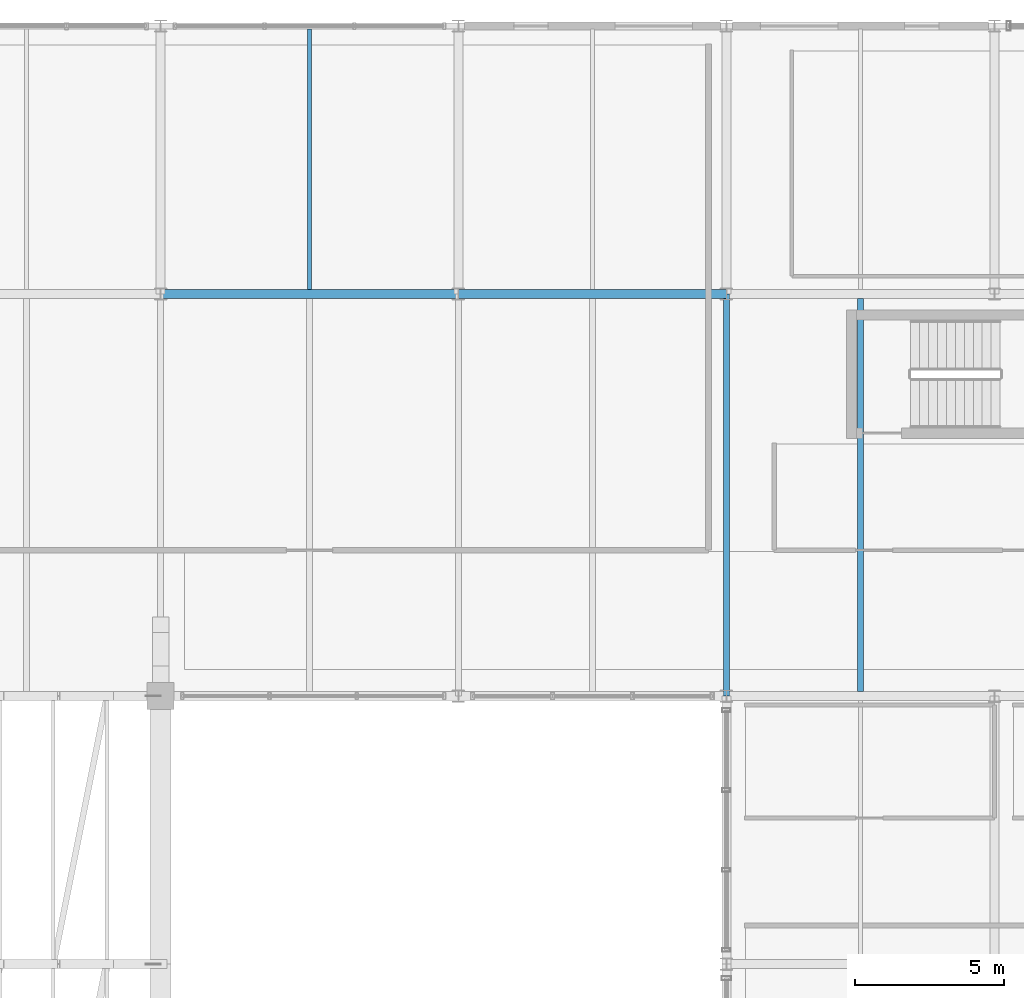
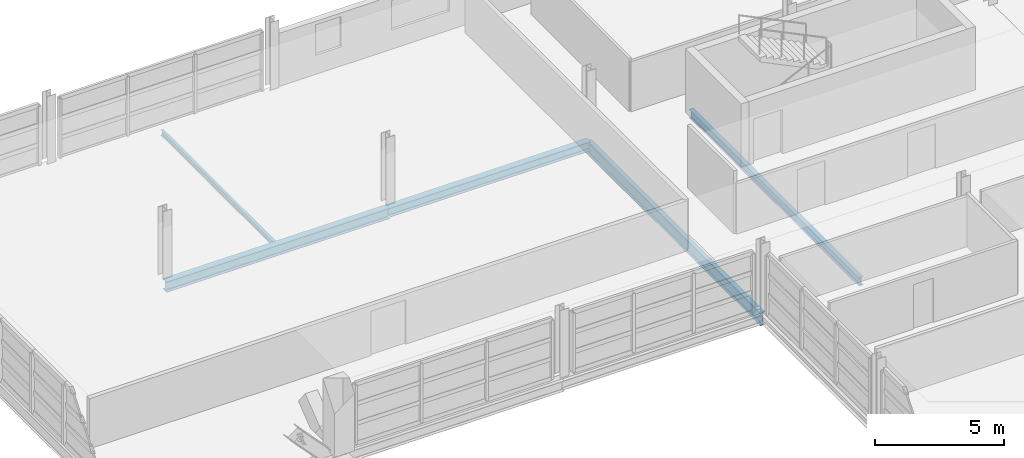
# One storey, part 49 of 86: 5 beams.
"""IFC4 building model written with IfcOpenShell, lengths in metres."""

from ifc_helpers import new_model, si_unit, direction, frame, origin, origin_2d, place, context, subcontext, project, spatial, i_section, extrude, material, material_profile, profile_set, type_object, element, save


model = new_model("IFC4")

# Units and contexts
model_context = context("Model", 3, precision=1e-05, world=origin(), true_north=direction((0.0, 1.0)))
body_context = subcontext(model_context, "Body", "Model", "MODEL_VIEW")
ifc_project = project(units=[si_unit("LENGTHUNIT", "METRE"), si_unit("AREAUNIT", "SQUARE_METRE"), si_unit("VOLUMEUNIT", "CUBIC_METRE"), si_unit("PLANEANGLEUNIT", "RADIAN"), si_unit("MASSUNIT", "GRAM", prefix="KILO")], contexts=[model_context])

# Site, building, storey
site_placement = place(None, origin())
site = spatial("IfcSite", under=ifc_project, at=site_placement, CompositionType="ELEMENT")
building_placement = place(site_placement, origin())
building = spatial("IfcBuilding", under=site, at=building_placement, Name="Chuanluo Vaults Station", CompositionType="ELEMENT")
storey_placement = place(building_placement, frame((0.0, 0.0, 14.39990234375)))
storey = spatial("IfcBuildingStorey", under=building, at=storey_placement, Name="L03", CompositionType="ELEMENT", Elevation=14.39990234375)

# Beams
ifc_material_1 = material(Name="Steel Q355C", Category="steel")
ifc_material_profile_1 = material_profile(ifc_material_1, i_section(OverallWidth=0.300048828125, OverallDepth=0.43994140625, WebThickness=0.010986328125, FlangeThickness=0.01806640625, FilletRadius=0.02001953125, at=origin_2d()))
ifc_profile_set_1 = profile_set([ifc_material_profile_1], Name="Steel Q355C")
beam_type_1 = type_object("IfcBeamType", Name="BM-GRD-450", PredefinedType="USERDEFINED", material=ifc_profile_set_1)
beam_1_placement = place(storey_placement, frame((136.0, 117.0, -0.43994140625), z_axis=(1.0, 0.0, 0.0), x_axis=(0.0, 1.0, 0.0)))
element("IfcBeam", 1, at=beam_1_placement, inside=storey, type_object=beam_type_1, Name="Floor girder BM:GX:L03:0763", ObjectType="GIRDER", PredefinedType="USERDEFINED", context=body_context, shape_type="SweptSolid", body=[
    extrude(i_section(OverallWidth=0.300048828125, OverallDepth=0.43994140625, WebThickness=0.010986328125, FlangeThickness=0.01806640625, FilletRadius=0.02001953125, at=origin_2d()), origin(), (0.0, 0.0, 1.0), 9.0),
])
ifc_material_2 = material(Name="Steel Q355C", Category="steel")
ifc_material_profile_2 = material_profile(ifc_material_2, i_section(OverallWidth=0.300048828125, OverallDepth=0.5, WebThickness=0.010986328125, FlangeThickness=0.01806640625, FilletRadius=0.02001953125, at=origin_2d()))
ifc_profile_set_2 = profile_set([ifc_material_profile_2], Name="Steel Q355C")
beam_type_2 = type_object("IfcBeamType", Name="BM-GRD-500", PredefinedType="USERDEFINED", material=ifc_profile_set_2)
beam_2_placement = place(storey_placement, frame((126.0, 117.0, -0.469970703125), z_axis=(1.0, 0.0, 0.0), x_axis=(0.0, 1.0, 0.0)))
element("IfcBeam", 2, at=beam_2_placement, inside=storey, type_object=beam_type_2, Name="Floor girder BM:GX:L03:0762", ObjectType="GIRDER", PredefinedType="USERDEFINED", context=body_context, shape_type="SweptSolid", body=[
    extrude(i_section(OverallWidth=0.300048828125, OverallDepth=0.5, WebThickness=0.010986328125, FlangeThickness=0.01806640625, FilletRadius=0.02001953125, at=origin_2d()), origin(), (0.0, 0.0, 1.0), 10.0),
])
ifc_material_3 = material(Name="Steel Q355C", Category="steel")
ifc_material_profile_3 = material_profile(ifc_material_3, i_section(OverallWidth=0.199951171875, OverallDepth=0.60009765625, WebThickness=0.010986328125, FlangeThickness=0.01708984375, FilletRadius=0.01806640625, at=origin_2d()))
ifc_profile_set_3 = profile_set([ifc_material_profile_3], Name="Steel Q355C")
beam_type_3 = type_object("IfcBeamType", Name="BM-GRD-600", PredefinedType="USERDEFINED", material=ifc_profile_set_3)
beam_3_placement = place(storey_placement, frame((145.0, 103.5, -0.52001953125), z_axis=(0.0, 1.0, 0.0), x_axis=(-1.0, 0.0, 0.0)))
element("IfcBeam", 3, at=beam_3_placement, inside=storey, type_object=beam_type_3, Name="Floor girder BM:GY:L03:0793", ObjectType="GIRDER", PredefinedType="USERDEFINED", context=body_context, shape_type="SweptSolid", body=[
    extrude(i_section(OverallWidth=0.199951171875, OverallDepth=0.60009765625, WebThickness=0.010986328125, FlangeThickness=0.01708984375, FilletRadius=0.01806640625, at=origin_2d()), origin(), (0.0, 0.0, 1.0), 13.5),
])
ifc_material_4 = material(Name="Steel Q355C", Category="steel")
ifc_material_profile_4 = material_profile(ifc_material_4, i_section(OverallWidth=0.125, OverallDepth=0.25, WebThickness=0.006103515625, FlangeThickness=0.009033203125, FilletRadius=0.011962890625, at=origin_2d()))
ifc_profile_set_4 = profile_set([ifc_material_profile_4], Name="Steel Q355C")
beam_type_4 = type_object("IfcBeamType", Name="BM-SEC-250", PredefinedType="JOIST", material=ifc_profile_set_4)
beam_4_placement = place(storey_placement, frame((131.0, 117.155029296875, -0.344970703125), z_axis=(0.0, 1.0, 0.0), x_axis=(-1.0, 0.0, 0.0)))
element("IfcBeam", 4, at=beam_4_placement, inside=storey, type_object=beam_type_4, Name="Composite secondary joist 0231", PredefinedType="JOIST", context=body_context, shape_type="SweptSolid", body=[
    extrude(i_section(OverallWidth=0.125, OverallDepth=0.25, WebThickness=0.006103515625, FlangeThickness=0.009033203125, FilletRadius=0.011962890625, at=origin_2d()), origin(), (0.0, 0.0, 1.0), 8.737548828125),
])
ifc_material_5 = material(Name="Steel Q355C", Category="steel")
ifc_material_profile_5 = material_profile(ifc_material_5, i_section(OverallWidth=0.199951171875, OverallDepth=0.39990234375, WebThickness=0.008056640625, FlangeThickness=0.012939453125, FilletRadius=0.01611328125, at=origin_2d()))
ifc_profile_set_5 = profile_set([ifc_material_profile_5], Name="Steel Q355C")
beam_type_5 = type_object("IfcBeamType", Name="BM-SEC-400", PredefinedType="BEAM", material=ifc_profile_set_5)
beam_5_placement = place(storey_placement, frame((149.5, 103.655029296875, -0.419921875), z_axis=(0.0, 1.0, 0.0), x_axis=(-1.0, 0.0, 0.0)))
element("IfcBeam", 5, at=beam_5_placement, inside=storey, type_object=beam_type_5, Name="Composite secondary joist 0242", PredefinedType="BEAM", context=body_context, shape_type="SweptSolid", body=[
    extrude(i_section(OverallWidth=0.199951171875, OverallDepth=0.39990234375, WebThickness=0.008056640625, FlangeThickness=0.012939453125, FilletRadius=0.01611328125, at=origin_2d()), origin(), (0.0, 0.0, 1.0), 13.18994140625),
])

save(model, "model.ifc")
